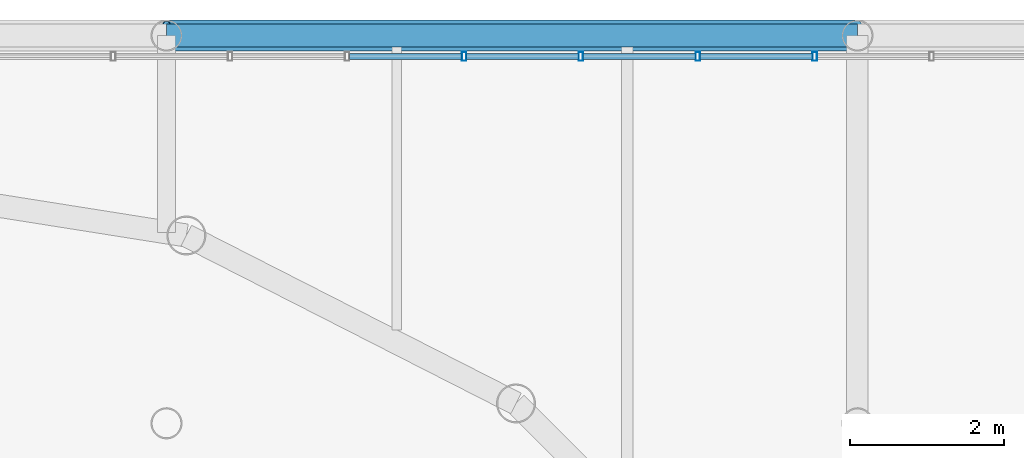
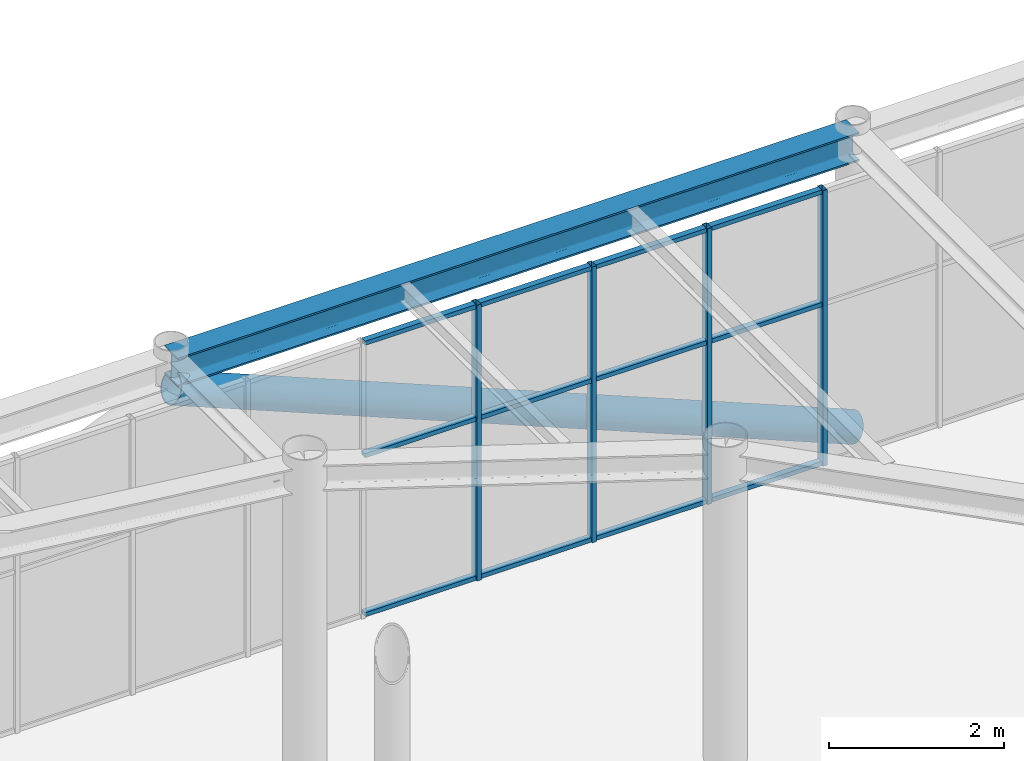
# One storey, part 63 of 149: 17 members, 1 beam, 1 element without a shape of its own.
"""IFC4 building model written with IfcOpenShell, lengths in metres."""

from ifc_helpers import new_model, si_unit, direction, frame, origin, origin_2d, place, context, subcontext, project, spatial, hollow_rectangle, hollow_circle, i_section, extrude, material, layer, layer_set, material_profile, profile_set, type_object, element, aggregate, save


model = new_model("IFC4")

# Units and contexts
model_context = context("Model", 3, precision=1e-05, world=origin(), true_north=direction((0.0, 1.0)))
body_context = subcontext(model_context, "Body", "Model", "MODEL_VIEW")
ifc_project = project(units=[si_unit("LENGTHUNIT", "METRE"), si_unit("AREAUNIT", "SQUARE_METRE"), si_unit("VOLUMEUNIT", "CUBIC_METRE"), si_unit("PLANEANGLEUNIT", "RADIAN"), si_unit("MASSUNIT", "GRAM", prefix="KILO")], contexts=[model_context])

# Site, building, storey
site_placement = place(None, origin())
site = spatial("IfcSite", under=ifc_project, at=site_placement, CompositionType="ELEMENT")
building_placement = place(site_placement, origin())
building = spatial("IfcBuilding", under=site, at=building_placement, Name="Kallimachos Central Library", CompositionType="ELEMENT")
storey_placement = place(building_placement, frame((0.0, 0.0, 9.89990234375)))
storey = spatial("IfcBuildingStorey", under=building, at=storey_placement, Name="L02", CompositionType="ELEMENT", Elevation=9.89990234375)

# Member
ifc_material_1 = material(Name="Steel S355J2H", Category="steel")
ifc_material_profile_1 = material_profile(ifc_material_1, hollow_circle(Radius=0.203125, WallThickness=0.01611328125, at=origin_2d()), Name="CHS 406.4x16")
ifc_profile_set_1 = profile_set([ifc_material_profile_1], Name="Steel S355J2H")
member_type_1 = type_object("IfcMemberType", Name="CHS 406.4x16 brace", PredefinedType="BRACE", material=ifc_profile_set_1)
member_1_placement = place(storey_placement, frame((92.5, 121.64990234375, 3.85009765625), z_axis=(0.924892546912, 0.0, -0.380228584756), x_axis=(0.0, 1.0, 0.0)))
element("IfcMember", 1, at=member_1_placement, inside=storey, type_object=member_type_1, Name="Cantilever truss diagonal north bay 4 L02", PredefinedType="BRACE", context=body_context, shape_type="SweptSolid", body=[
    extrude(hollow_circle(Radius=0.203125, WallThickness=0.01611328125, at=origin_2d()), origin(), (0.0, 0.0, 1.0), 9.73095703125),
])

# Curtain wall, members
ifc_material_2 = material(Name="Anodised aluminium and laminated glass", Category="aluminium")
ifc_layer = layer(ifc_material_2, 0.159912109375)
ifc_layer_set = layer_set([ifc_layer], Name="Glass box curtain wall")
curtain_wall_type = type_object("IfcCurtainWallType", Name="Glass box curtain wall", PredefinedType="NOTDEFINED", material=ifc_layer_set)
curtain_wall_placement = place(storey_placement, origin())
curtain_wall = element("IfcCurtainWall", 2, at=curtain_wall_placement, inside=storey, type_object=curtain_wall_type, Name="Glass box curtain wall N L02", PredefinedType="NOTDEFINED")
ifc_material_3 = material(Name="Anodised aluminium", Category="aluminium")
ifc_material_profile_2 = material_profile(ifc_material_3, hollow_rectangle(XDim=0.06005859375, YDim=0.1201171875, WallThickness=0.00390625, at=origin_2d()), Name="ALU MULLION 60x120")
ifc_profile_set_2 = profile_set([ifc_material_profile_2], Name="Anodised aluminium")
member_type_2 = type_object("IfcMemberType", Name="Glass box mullion 60x120", PredefinedType="MULLION", material=ifc_profile_set_2)
member_2_placement = place(storey_placement, frame((96.375244140625, 121.3798828125, 0.0), z_axis=(0.0, 0.0, 1.0), x_axis=(1.0, 0.0, 0.0)))
member_2 = element("IfcMember", 3, at=member_2_placement, type_object=member_type_2, Name="CW20 mullion 21", PredefinedType="MULLION", context=body_context, shape_type="SweptSolid", body=[
    extrude(hollow_rectangle(XDim=0.06005859375, YDim=0.1201171875, WallThickness=0.00390625, at=origin_2d()), origin(), (0.0, 0.0, 1.0), 3.85009765625),
])
member_3_placement = place(storey_placement, frame((97.89794921875, 121.3798828125, 0.0), z_axis=(0.0, 0.0, 1.0), x_axis=(1.0, 0.0, 0.0)))
member_3 = element("IfcMember", 4, at=member_3_placement, type_object=member_type_2, Name="CW20 mullion 22", PredefinedType="MULLION", context=body_context, shape_type="SweptSolid", body=[
    extrude(hollow_rectangle(XDim=0.06005859375, YDim=0.1201171875, WallThickness=0.00390625, at=origin_2d()), origin(), (0.0, 0.0, 1.0), 3.85009765625),
])
member_4_placement = place(storey_placement, frame((99.420654296875, 121.3798828125, 0.0), z_axis=(0.0, 0.0, 1.0), x_axis=(1.0, 0.0, 0.0)))
member_4 = element("IfcMember", 5, at=member_4_placement, type_object=member_type_2, Name="CW20 mullion 23", PredefinedType="MULLION", context=body_context, shape_type="SweptSolid", body=[
    extrude(hollow_rectangle(XDim=0.06005859375, YDim=0.1201171875, WallThickness=0.00390625, at=origin_2d()), origin(), (0.0, 0.0, 1.0), 3.85009765625),
])
member_5_placement = place(storey_placement, frame((100.943359375, 121.3798828125, 0.0), z_axis=(0.0, 0.0, 1.0), x_axis=(1.0, 0.0, 0.0)))
member_5 = element("IfcMember", 6, at=member_5_placement, type_object=member_type_2, Name="CW20 mullion 24", PredefinedType="MULLION", context=body_context, shape_type="SweptSolid", body=[
    extrude(hollow_rectangle(XDim=0.06005859375, YDim=0.1201171875, WallThickness=0.00390625, at=origin_2d()), origin(), (0.0, 0.0, 1.0), 3.85009765625),
])
ifc_material_4 = material(Name="Anodised aluminium", Category="aluminium")
ifc_material_profile_3 = material_profile(ifc_material_4, hollow_rectangle(XDim=0.06005859375, YDim=0.080078125, WallThickness=0.00390625, at=origin_2d()), Name="ALU TRANSOM 60x80")
ifc_profile_set_3 = profile_set([ifc_material_profile_3], Name="Anodised aluminium")
member_type_3 = type_object("IfcMemberType", Name="Glass box transom 60x80", PredefinedType="USERDEFINED", material=ifc_profile_set_3)
member_6_placement = place(storey_placement, frame((94.88232421875, 121.3798828125, 0.030029296875), z_axis=(1.0, 0.0, 0.0), x_axis=(0.0, 0.0, 1.0)))
member_6 = element("IfcMember", 7, at=member_6_placement, type_object=member_type_3, Name="CW20 transom 20.1", ObjectType="TRANSOM", PredefinedType="USERDEFINED", context=body_context, shape_type="SweptSolid", body=[
    extrude(hollow_rectangle(XDim=0.06005859375, YDim=0.080078125, WallThickness=0.00390625, at=origin_2d()), origin(), (0.0, 0.0, 1.0), 1.462890625),
])
member_7_placement = place(storey_placement, frame((94.88232421875, 121.3798828125, 2.25), z_axis=(1.0, 0.0, 0.0), x_axis=(0.0, 0.0, 1.0)))
member_7 = element("IfcMember", 8, at=member_7_placement, type_object=member_type_3, Name="CW20 transom 20.2", ObjectType="TRANSOM", PredefinedType="USERDEFINED", context=body_context, shape_type="SweptSolid", body=[
    extrude(hollow_rectangle(XDim=0.06005859375, YDim=0.080078125, WallThickness=0.00390625, at=origin_2d()), origin(), (0.0, 0.0, 1.0), 1.462890625),
])
member_8_placement = place(storey_placement, frame((94.88232421875, 121.3798828125, 3.820068359375), z_axis=(1.0, 0.0, 0.0), x_axis=(0.0, 0.0, 1.0)))
member_8 = element("IfcMember", 9, at=member_8_placement, type_object=member_type_3, Name="CW20 transom 20.3", ObjectType="TRANSOM", PredefinedType="USERDEFINED", context=body_context, shape_type="SweptSolid", body=[
    extrude(hollow_rectangle(XDim=0.06005859375, YDim=0.080078125, WallThickness=0.00390625, at=origin_2d()), origin(), (0.0, 0.0, 1.0), 1.462890625),
])
member_9_placement = place(storey_placement, frame((96.4052734375, 121.3798828125, 0.030029296875), z_axis=(1.0, 0.0, 0.0), x_axis=(0.0, 0.0, 1.0)))
member_9 = element("IfcMember", 10, at=member_9_placement, type_object=member_type_3, Name="CW20 transom 21.1", ObjectType="TRANSOM", PredefinedType="USERDEFINED", context=body_context, shape_type="SweptSolid", body=[
    extrude(hollow_rectangle(XDim=0.06005859375, YDim=0.080078125, WallThickness=0.00390625, at=origin_2d()), origin(), (0.0, 0.0, 1.0), 1.462646484375),
])
member_10_placement = place(storey_placement, frame((96.4052734375, 121.3798828125, 2.25), z_axis=(1.0, 0.0, 0.0), x_axis=(0.0, 0.0, 1.0)))
member_10 = element("IfcMember", 11, at=member_10_placement, type_object=member_type_3, Name="CW20 transom 21.2", ObjectType="TRANSOM", PredefinedType="USERDEFINED", context=body_context, shape_type="SweptSolid", body=[
    extrude(hollow_rectangle(XDim=0.06005859375, YDim=0.080078125, WallThickness=0.00390625, at=origin_2d()), origin(), (0.0, 0.0, 1.0), 1.462646484375),
])
member_11_placement = place(storey_placement, frame((96.4052734375, 121.3798828125, 3.820068359375), z_axis=(1.0, 0.0, 0.0), x_axis=(0.0, 0.0, 1.0)))
member_11 = element("IfcMember", 12, at=member_11_placement, type_object=member_type_3, Name="CW20 transom 21.3", ObjectType="TRANSOM", PredefinedType="USERDEFINED", context=body_context, shape_type="SweptSolid", body=[
    extrude(hollow_rectangle(XDim=0.06005859375, YDim=0.080078125, WallThickness=0.00390625, at=origin_2d()), origin(), (0.0, 0.0, 1.0), 1.462646484375),
])
member_12_placement = place(storey_placement, frame((97.927978515625, 121.3798828125, 0.030029296875), z_axis=(1.0, 0.0, 0.0), x_axis=(0.0, 0.0, 1.0)))
member_12 = element("IfcMember", 13, at=member_12_placement, type_object=member_type_3, Name="CW20 transom 22.1", ObjectType="TRANSOM", PredefinedType="USERDEFINED", context=body_context, shape_type="SweptSolid", body=[
    extrude(hollow_rectangle(XDim=0.06005859375, YDim=0.080078125, WallThickness=0.00390625, at=origin_2d()), origin(), (0.0, 0.0, 1.0), 1.462646484375),
])
member_13_placement = place(storey_placement, frame((97.927978515625, 121.3798828125, 2.25), z_axis=(1.0, 0.0, 0.0), x_axis=(0.0, 0.0, 1.0)))
member_13 = element("IfcMember", 14, at=member_13_placement, type_object=member_type_3, Name="CW20 transom 22.2", ObjectType="TRANSOM", PredefinedType="USERDEFINED", context=body_context, shape_type="SweptSolid", body=[
    extrude(hollow_rectangle(XDim=0.06005859375, YDim=0.080078125, WallThickness=0.00390625, at=origin_2d()), origin(), (0.0, 0.0, 1.0), 1.462646484375),
])
member_14_placement = place(storey_placement, frame((97.927978515625, 121.3798828125, 3.820068359375), z_axis=(1.0, 0.0, 0.0), x_axis=(0.0, 0.0, 1.0)))
member_14 = element("IfcMember", 15, at=member_14_placement, type_object=member_type_3, Name="CW20 transom 22.3", ObjectType="TRANSOM", PredefinedType="USERDEFINED", context=body_context, shape_type="SweptSolid", body=[
    extrude(hollow_rectangle(XDim=0.06005859375, YDim=0.080078125, WallThickness=0.00390625, at=origin_2d()), origin(), (0.0, 0.0, 1.0), 1.462646484375),
])
member_15_placement = place(storey_placement, frame((99.45068359375, 121.3798828125, 0.030029296875), z_axis=(1.0, 0.0, 0.0), x_axis=(0.0, 0.0, 1.0)))
member_15 = element("IfcMember", 16, at=member_15_placement, type_object=member_type_3, Name="CW20 transom 23.1", ObjectType="TRANSOM", PredefinedType="USERDEFINED", context=body_context, shape_type="SweptSolid", body=[
    extrude(hollow_rectangle(XDim=0.06005859375, YDim=0.080078125, WallThickness=0.00390625, at=origin_2d()), origin(), (0.0, 0.0, 1.0), 1.462646484375),
])
member_16_placement = place(storey_placement, frame((99.45068359375, 121.3798828125, 2.25), z_axis=(1.0, 0.0, 0.0), x_axis=(0.0, 0.0, 1.0)))
member_16 = element("IfcMember", 17, at=member_16_placement, type_object=member_type_3, Name="CW20 transom 23.2", ObjectType="TRANSOM", PredefinedType="USERDEFINED", context=body_context, shape_type="SweptSolid", body=[
    extrude(hollow_rectangle(XDim=0.06005859375, YDim=0.080078125, WallThickness=0.00390625, at=origin_2d()), origin(), (0.0, 0.0, 1.0), 1.462646484375),
])
member_17_placement = place(storey_placement, frame((99.45068359375, 121.3798828125, 3.820068359375), z_axis=(1.0, 0.0, 0.0), x_axis=(0.0, 0.0, 1.0)))
member_17 = element("IfcMember", 18, at=member_17_placement, type_object=member_type_3, Name="CW20 transom 23.3", ObjectType="TRANSOM", PredefinedType="USERDEFINED", context=body_context, shape_type="SweptSolid", body=[
    extrude(hollow_rectangle(XDim=0.06005859375, YDim=0.080078125, WallThickness=0.00390625, at=origin_2d()), origin(), (0.0, 0.0, 1.0), 1.462646484375),
])
aggregate(curtain_wall, [member_2, member_3, member_4, member_5, member_6, member_7, member_8, member_9, member_10, member_11, member_12, member_13, member_14, member_15, member_16, member_17])

# Beam
ifc_material_5 = material(Name="Steel S355J2", Category="steel")
ifc_material_profile_4 = material_profile(ifc_material_5, i_section(OverallWidth=0.300048828125, OverallDepth=0.39990234375, WebThickness=0.013427734375, FlangeThickness=0.02392578125, FilletRadius=0.027099609375, at=origin_2d()), Name="HEB 400")
ifc_profile_set_4 = profile_set([ifc_material_profile_4], Name="Steel S355J2")
beam_type = type_object("IfcBeamType", Name="HEB 400 beam", PredefinedType="BEAM", material=ifc_profile_set_4)
beam_placement = place(storey_placement, frame((92.5, 121.64990234375, 4.150146484375), z_axis=(1.0, 0.0, 0.0), x_axis=(0.0, 1.0, 0.0)))
element("IfcBeam", 19, at=beam_placement, inside=storey, type_object=beam_type, Name="V1-BEM-L02-047", PredefinedType="BEAM", context=body_context, shape_type="SweptSolid", body=[
    extrude(i_section(OverallWidth=0.300048828125, OverallDepth=0.39990234375, WebThickness=0.013427734375, FlangeThickness=0.02392578125, FilletRadius=0.027099609375, at=origin_2d()), origin(), (0.0, 0.0, 1.0), 9.0),
])

save(model, "model.ifc")
